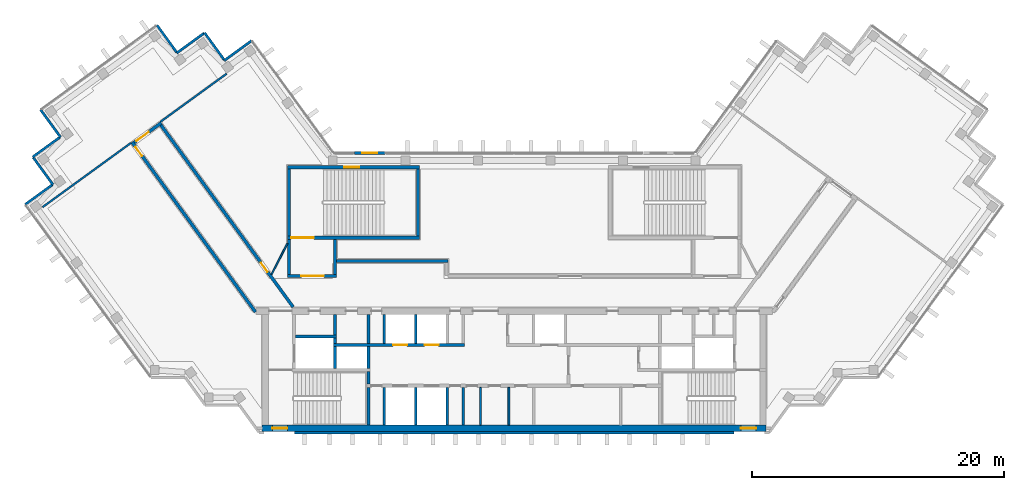
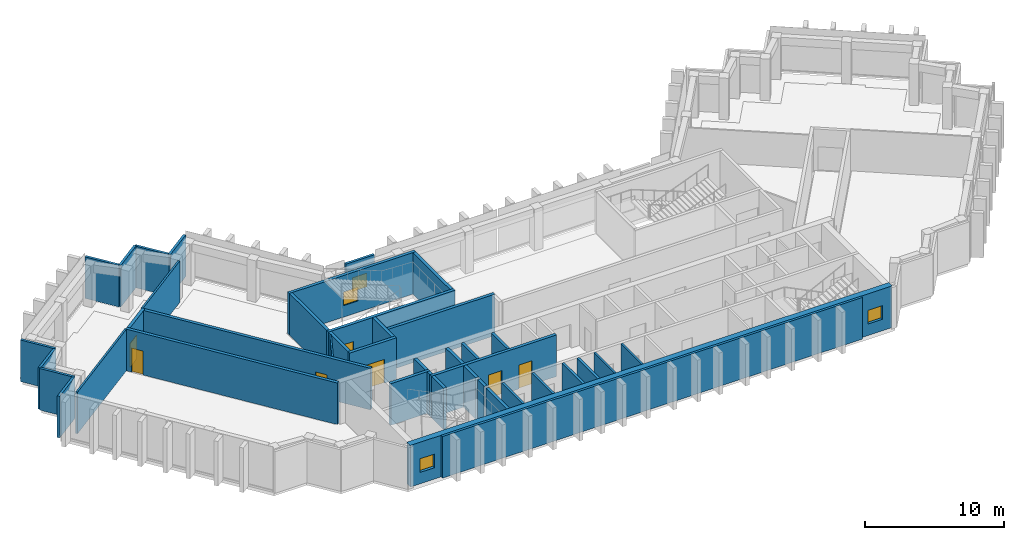
# One storey, part 4 of 9: 42 walls, 7 doors, 4 windows, 11 openings.
"""IFC4 building model written with IfcOpenShell, lengths in metres."""

from ifc_helpers import new_model, si_unit, direction, frame, frame_2d, origin, place, context, subcontext, project, spatial, rectangle, extrude, material, layer, layer_set, type_object, element, fill, save


model = new_model("IFC4")

# Units and contexts
model_context = context("Model", 3, precision=1e-05, world=origin(), true_north=direction((0.0, 1.0)))
body_context = subcontext(model_context, "Body", "Model", "MODEL_VIEW")
ifc_project = project(units=[si_unit("LENGTHUNIT", "METRE"), si_unit("AREAUNIT", "SQUARE_METRE"), si_unit("VOLUMEUNIT", "CUBIC_METRE"), si_unit("PLANEANGLEUNIT", "RADIAN"), si_unit("MASSUNIT", "GRAM", prefix="KILO")], contexts=[model_context])

# Site, building, storey
site_placement = place(None, origin())
site = spatial("IfcSite", under=ifc_project, at=site_placement, CompositionType="ELEMENT")
building_placement = place(site_placement, origin())
building = spatial("IfcBuilding", under=site, at=building_placement, Name="Quipu Civic Tower", CompositionType="ELEMENT")
storey_placement = place(building_placement, frame((0.0, 0.0, 307.0)))
storey = spatial("IfcBuildingStorey", under=building, at=storey_placement, Name="L71", CompositionType="ELEMENT", Elevation=307.0)

# Walls
ifc_material_1 = material(Name="Double gypsum plasterboard with mineral wool")
ifc_layer_1 = layer(ifc_material_1, 0.14990234375)
ifc_layer_set_1 = layer_set([ifc_layer_1], Name="Double gypsum plasterboard with mineral wool")
wall_type_1 = type_object("IfcWallType", Name="Acoustic partition 150 plasterboard", PredefinedType="PARTITIONING", material=ifc_layer_set_1)
wall_1_placement = place(storey_placement, frame((-22.818359375, 17.39599609375, 0.0), z_axis=(0.0, 0.0, 1.0), x_axis=(-0.809000932727, -0.587807358619, 0.0)))
element("IfcWall", 1, at=wall_1_placement, inside=storey, type_object=wall_type_1, Name="Partition P02", PredefinedType="PARTITIONING", context=body_context, shape_type="SweptSolid", body=[
    extrude(rectangle(XDim=6.49560546875, YDim=0.14990234375, at=frame_2d((3.247802734375, 0.0))), origin(), (0.0, 0.0, 1.0), 3.64990234375),
])
wall_2_placement = place(storey_placement, frame((-37.42919921875, 6.805419921875, 0.0), z_axis=(0.0, 0.0, 1.0), x_axis=(0.809020922653, 0.587779845444, 0.0)))
element("IfcWall", 2, at=wall_2_placement, inside=storey, type_object=wall_type_1, Name="Partition P03", PredefinedType="PARTITIONING", context=body_context, shape_type="SweptSolid", body=[
    extrude(rectangle(XDim=8.670166015625, YDim=0.14990234375, at=frame_2d((4.3349609375, 0.0))), origin(), (0.0, 0.0, 1.0), 3.64990234375),
])
ifc_material_2 = material(Name="Concrete C70/85", Category="concrete")
ifc_layer_2 = layer(ifc_material_2, 0.25)
ifc_layer_set_2 = layer_set([ifc_layer_2], Name="Concrete C70/85")
wall_type_2 = type_object("IfcWallType", Name="Core wall 250", PredefinedType="SHEAR", material=ifc_layer_set_2)
wall_3_placement = place(storey_placement, frame((-11.574951171875, -10.5, 0.0), z_axis=(0.0, 0.0, 1.0), x_axis=(0.0, 1.0, 0.0)))
element("IfcWall", 3, at=wall_3_placement, inside=storey, type_object=wall_type_2, Name="Core wall", PredefinedType="SHEAR", context=body_context, shape_type="SweptSolid", body=[
    extrude(rectangle(XDim=3.0, YDim=0.25, at=frame_2d((1.5, 0.0))), origin(), (0.0, 0.0, 1.0), 3.64990234375),
])
wall_4_placement = place(storey_placement, frame((-11.574951171875, -7.25, 0.0), z_axis=(0.0, 0.0, 1.0), x_axis=(0.0, 1.0, 0.0)))
element("IfcWall", 4, at=wall_4_placement, inside=storey, type_object=wall_type_2, Name="Core wall", PredefinedType="SHEAR", context=body_context, shape_type="SweptSolid", body=[
    extrude(rectangle(XDim=1.0, YDim=0.25, at=frame_2d((0.5, 0.0))), origin(), (0.0, 0.0, 1.0), 3.64990234375),
])
for number, where, z_axis, x_axis, name in (
    (5, (-14.22509765625, -6.0, 0.0), (0.0, 0.0, 1.0), (0.0, 1.0, 0.0), "Core wall"),
    (6, (-11.574951171875, -6.0, 0.0), (0.0, 0.0, 1.0), (0.0, 1.0, 0.0), "Core wall"),
):
    element("IfcWall", number, at=place(storey_placement, frame(where, z_axis=z_axis, x_axis=x_axis)), inside=storey, type_object=wall_type_2, Name=name, PredefinedType="SHEAR", context=body_context, shape_type="SweptSolid", body=[
        extrude(rectangle(XDim=1.75, YDim=0.25, at=frame_2d((0.875, 0.0))), origin(), (0.0, 0.0, 1.0), 3.64990234375),
    ])

# Wall, openings, doors
wall_5_placement = place(storey_placement, frame((-14.35009765625, -4.125, 0.0), z_axis=(0.0, 0.0, 1.0), x_axis=(1.0, 0.0, 0.0)))
wall_5 = element("IfcWall", 7, at=wall_5_placement, inside=storey, type_object=wall_type_2, Name="Core wall", PredefinedType="SHEAR", context=body_context, shape_type="SweptSolid", body=[
    extrude(rectangle(XDim=10.400146484375, YDim=0.25, at=frame_2d((5.2001953125, 0.0))), origin(), (0.0, 0.0, 1.0), 3.64990234375),
])
opening_1_placement = place(wall_5_placement, frame((4.75, 0.0, 0.0)))
opening_1 = element("IfcOpeningElement", 8, at=opening_1_placement, cuts=wall_5, Name="Opening LD-HL3", PredefinedType="OPENING", context=body_context, shape_type="SweptSolid", body=[
    extrude(rectangle(XDim=1.10009765625, YDim=2.10009765625, at=frame_2d((0.550048828125, 1.050048828125))), frame((0.0, 0.135009765625, 0.0), z_axis=(0.0, -1.0, 0.0), x_axis=(1.0, 0.0, 0.0)), (0.0, 0.0, 1.0), 0.27001953125),
])
opening_2_placement = place(wall_5_placement, frame((7.25, 0.0, 0.0)))
opening_2 = element("IfcOpeningElement", 9, at=opening_2_placement, cuts=wall_5, Name="Opening LD-HL4", PredefinedType="OPENING", context=body_context, shape_type="SweptSolid", body=[
    extrude(rectangle(XDim=1.10009765625, YDim=2.10009765625, at=frame_2d((0.550048828125, 1.050048828125))), frame((0.0, 0.135009765625, 0.0), z_axis=(0.0, -1.0, 0.0), x_axis=(1.0, 0.0, 0.0)), (0.0, 0.0, 1.0), 0.27001953125),
])
ifc_material_3 = material(Name="Stainless steel", Category="steel")
door_type_1 = type_object("IfcDoorType", Name="Lift landing door 1100 x 2100", OperationType="DOUBLE_DOOR_SLIDING", PredefinedType="DOOR", material=ifc_material_3)
door_1_placement = place(opening_1_placement, origin())
door_1 = element("IfcDoor", 10, at=door_1_placement, inside=storey, type_object=door_type_1, Name="Landing door HL3", OperationType="DOUBLE_DOOR_SLIDING", OverallHeight=2.10009765625, OverallWidth=1.10009765625, PredefinedType="DOOR", context=body_context, shape_type="SweptSolid", body=[
    extrude(rectangle(XDim=1.10009765625, YDim=2.10009765625, at=frame_2d((0.550048828125, 1.050048828125))), frame((0.0, 0.02490234375, 0.0), z_axis=(0.0, -1.0, 0.0), x_axis=(1.0, 0.0, 0.0)), (0.0, 0.0, 1.0), 0.050048828125),
])
fill(opening_1, door_1)
door_2_placement = place(opening_2_placement, origin())
door_2 = element("IfcDoor", 11, at=door_2_placement, inside=storey, type_object=door_type_1, Name="Landing door HL4", OperationType="DOUBLE_DOOR_SLIDING", OverallHeight=2.10009765625, OverallWidth=1.10009765625, PredefinedType="DOOR", context=body_context, shape_type="SweptSolid", body=[
    extrude(rectangle(XDim=1.10009765625, YDim=2.10009765625, at=frame_2d((0.550048828125, 1.050048828125))), frame((0.0, 0.02490234375, 0.0), z_axis=(0.0, -1.0, 0.0), x_axis=(1.0, 0.0, 0.0)), (0.0, 0.0, 1.0), 0.050048828125),
])
fill(opening_2, door_2)

# Walls
wall_6_placement = place(storey_placement, frame((-14.22509765625, -4.0, 0.0), z_axis=(0.0, 0.0, 1.0), x_axis=(0.0, 1.0, 0.0)))
element("IfcWall", 12, at=wall_6_placement, inside=storey, type_object=wall_type_2, Name="Core wall", PredefinedType="SHEAR", context=body_context, shape_type="SweptSolid", body=[
    extrude(rectangle(XDim=0.39990234375, YDim=0.25, at=frame_2d((0.199951171875, 0.0))), origin(), (0.0, 0.0, 1.0), 3.64990234375),
])
wall_7_placement = place(storey_placement, frame((-11.574951171875, -4.0, 0.0), z_axis=(0.0, 0.0, 1.0), x_axis=(0.0, 1.0, 0.0)))
element("IfcWall", 13, at=wall_7_placement, inside=storey, type_object=wall_type_2, Name="Core wall", PredefinedType="SHEAR", context=body_context, shape_type="SweptSolid", body=[
    extrude(rectangle(XDim=2.300048828125, YDim=0.25, at=frame_2d((1.14990234375, 0.0))), origin(), (0.0, 0.0, 1.0), 3.64990234375),
])
wall_8_placement = place(storey_placement, frame((-17.35009765625, -3.47509765625, 0.0), z_axis=(0.0, 0.0, 1.0), x_axis=(1.0, 0.0, 0.0)))
element("IfcWall", 14, at=wall_8_placement, inside=storey, type_object=wall_type_2, Name="Core wall", PredefinedType="SHEAR", context=body_context, shape_type="SweptSolid", body=[
    extrude(rectangle(XDim=3.25, YDim=0.25, at=frame_2d((1.625, 0.0))), origin(), (0.0, 0.0, 1.0), 3.64990234375),
])
wall_9_placement = place(storey_placement, frame((-14.22509765625, -3.35009765625, 0.0), z_axis=(0.0, 0.0, 1.0), x_axis=(0.0, 1.0, 0.0)))
element("IfcWall", 15, at=wall_9_placement, inside=storey, type_object=wall_type_2, Name="Core wall", PredefinedType="SHEAR", context=body_context, shape_type="SweptSolid", body=[
    extrude(rectangle(XDim=1.650146484375, YDim=0.25, at=frame_2d((0.8251953125, 0.0))), origin(), (0.0, 0.0, 1.0), 3.64990234375),
])

# Wall, opening, door
wall_10_placement = place(storey_placement, frame((-18.0, 1.324951171875, 0.0), z_axis=(0.0, 0.0, 1.0), x_axis=(1.0, 0.0, 0.0)))
wall_10 = element("IfcWall", 16, at=wall_10_placement, inside=storey, type_object=wall_type_2, Name="Core wall", PredefinedType="SHEAR", context=body_context, shape_type="SweptSolid", body=[
    extrude(rectangle(XDim=3.89990234375, YDim=0.25, at=frame_2d((1.949951171875, 0.0))), origin(), (0.0, 0.0, 1.0), 3.64990234375),
])
opening_3_placement = place(wall_10_placement, frame((1.10009765625, 0.0, 0.0)))
opening_3 = element("IfcOpeningElement", 17, at=opening_3_placement, cuts=wall_10, Name="Opening CD-24", PredefinedType="OPENING", context=body_context, shape_type="SweptSolid", body=[
    extrude(rectangle(XDim=1.800048828125, YDim=2.10009765625, at=frame_2d((0.89990234375, 1.050048828125))), frame((0.0, 0.135009765625, 0.0), z_axis=(0.0, -1.0, 0.0), x_axis=(1.0, 0.0, 0.0)), (0.0, 0.0, 1.0), 0.27001953125),
])
ifc_material_4 = material(Name="Fire rated steel door", Category="steel")
door_type_2 = type_object("IfcDoorType", Name="Fire door FD90 double 1800 x 2100", OperationType="NOTDEFINED", PredefinedType="DOOR", material=ifc_material_4)
door_3_placement = place(opening_3_placement, origin())
door_3 = element("IfcDoor", 18, at=door_3_placement, inside=storey, type_object=door_type_2, Name="Lobby door", OperationType="DOUBLE_DOOR_SINGLE_SWING", OverallHeight=2.10009765625, OverallWidth=1.800048828125, PredefinedType="DOOR", context=body_context, shape_type="SweptSolid", body=[
    extrude(rectangle(XDim=1.800048828125, YDim=2.10009765625, at=frame_2d((0.89990234375, 1.050048828125))), frame((0.0, 0.02490234375, 0.0), z_axis=(0.0, -1.0, 0.0), x_axis=(1.0, 0.0, 0.0)), (0.0, 0.0, 1.0), 0.050048828125),
])
fill(opening_3, door_3)

# Walls
for number, where, z_axis, x_axis, name in (
    (19, (-17.875, 1.449951171875, 0.0), (0.0, 0.0, 1.0), (0.0, 1.0, 0.0), "Core wall"),
    (20, (-14.22509765625, 1.449951171875, 0.0), (0.0, 0.0, 1.0), (0.0, 1.0, 0.0), "Core wall"),
):
    element("IfcWall", number, at=place(storey_placement, frame(where, z_axis=z_axis, x_axis=x_axis)), inside=storey, type_object=wall_type_2, Name=name, PredefinedType="SHEAR", context=body_context, shape_type="SweptSolid", body=[
        extrude(rectangle(XDim=2.800048828125, YDim=0.25, at=frame_2d((1.39990234375, 0.0))), origin(), (0.0, 0.0, 1.0), 3.64990234375),
    ])

# Wall, opening, door
wall_11_placement = place(storey_placement, frame((-18.0, 4.375, 0.0), z_axis=(0.0, 0.0, 1.0), x_axis=(1.0, 0.0, 0.0)))
wall_11 = element("IfcWall", 21, at=wall_11_placement, inside=storey, type_object=wall_type_2, Name="Core wall", PredefinedType="SHEAR", context=body_context, shape_type="SweptSolid", body=[
    extrude(rectangle(XDim=10.5, YDim=0.25, at=frame_2d((5.25, 0.0))), origin(), (0.0, 0.0, 1.0), 3.64990234375),
])
opening_4_placement = place(wall_11_placement, frame((0.300048828125, 0.0, 0.0)))
opening_4 = element("IfcOpeningElement", 22, at=opening_4_placement, cuts=wall_11, Name="Opening CD-25", PredefinedType="OPENING", context=body_context, shape_type="SweptSolid", body=[
    extrude(rectangle(XDim=1.800048828125, YDim=2.10009765625, at=frame_2d((0.89990234375, 1.050048828125))), frame((0.0, 0.135009765625, 0.0), z_axis=(0.0, -1.0, 0.0), x_axis=(1.0, 0.0, 0.0)), (0.0, 0.0, 1.0), 0.27001953125),
])
door_4_placement = place(opening_4_placement, origin())
door_4 = element("IfcDoor", 23, at=door_4_placement, inside=storey, type_object=door_type_2, Name="Door", OperationType="DOUBLE_DOOR_SINGLE_SWING", OverallHeight=2.10009765625, OverallWidth=1.800048828125, PredefinedType="DOOR", context=body_context, shape_type="SweptSolid", body=[
    extrude(rectangle(XDim=1.800048828125, YDim=2.10009765625, at=frame_2d((0.89990234375, 1.050048828125))), frame((0.0, 0.02490234375, 0.0), z_axis=(0.0, -1.0, 0.0), x_axis=(1.0, 0.0, 0.0)), (0.0, 0.0, 1.0), 0.050048828125),
])
fill(opening_4, door_4)

# Walls
for number, where, z_axis, x_axis, name in (
    (24, (-17.875, 4.5, 0.0), (0.0, 0.0, 1.0), (0.0, 1.0, 0.0), "Core wall"),
    (25, (-7.625, 4.5, 0.0), (0.0, 0.0, 1.0), (0.0, 1.0, 0.0), "Core wall"),
):
    element("IfcWall", number, at=place(storey_placement, frame(where, z_axis=z_axis, x_axis=x_axis)), inside=storey, type_object=wall_type_2, Name=name, PredefinedType="SHEAR", context=body_context, shape_type="SweptSolid", body=[
        extrude(rectangle(XDim=5.35009765625, YDim=0.25, at=frame_2d((2.675048828125, 0.0))), origin(), (0.0, 0.0, 1.0), 3.64990234375),
    ])

# Wall, opening, window
wall_12_placement = place(storey_placement, frame((-18.0, 9.97509765625, 0.0), z_axis=(0.0, 0.0, 1.0), x_axis=(1.0, 0.0, 0.0)))
wall_12 = element("IfcWall", 26, at=wall_12_placement, inside=storey, type_object=wall_type_2, Name="Core wall", PredefinedType="SHEAR", context=body_context, shape_type="SweptSolid", body=[
    extrude(rectangle(XDim=10.5, YDim=0.25, at=frame_2d((5.25, 0.0))), origin(), (0.0, 0.0, 1.0), 3.64990234375),
])
opening_5_placement = place(wall_12_placement, frame((4.5, 0.0, 1.0)))
opening_5 = element("IfcOpeningElement", 27, at=opening_5_placement, cuts=wall_12, Name="Opening SV-3", PredefinedType="OPENING", context=body_context, shape_type="SweptSolid", body=[
    extrude(rectangle(XDim=1.199951171875, YDim=1.199951171875, at=frame_2d((0.60009765625, 0.60009765625))), frame((0.0, 0.135009765625, 0.0), z_axis=(0.0, -1.0, 0.0), x_axis=(1.0, 0.0, 0.0)), (0.0, 0.0, 1.0), 0.27001953125),
])
ifc_material_5 = material(Name="Aluminium louvre", Category="aluminium")
window_type_1 = type_object("IfcWindowType", Name="Stair ventilation louvre 1200 x 1200", PartitioningType="SINGLE_PANEL", PredefinedType="WINDOW", material=ifc_material_5)
window_1_placement = place(opening_5_placement, origin())
window_1 = element("IfcWindow", 28, at=window_1_placement, inside=storey, type_object=window_type_1, Name="Stair ventilation opening", OverallHeight=1.199951171875, OverallWidth=1.199951171875, PartitioningType="SINGLE_PANEL", PredefinedType="WINDOW", context=body_context, shape_type="SweptSolid", body=[
    extrude(rectangle(XDim=1.199951171875, YDim=1.199951171875, at=frame_2d((0.60009765625, 0.60009765625))), frame((0.0, 0.030029296875, 0.0), z_axis=(0.0, -1.0, 0.0), x_axis=(1.0, 0.0, 0.0)), (0.0, 0.0, 1.0), 0.06005859375),
])
fill(opening_5, window_1)

# Wall, openings, windows
ifc_material_6 = material(Name="Concrete C70/85", Category="concrete")
ifc_layer_3 = layer(ifc_material_6, 0.5)
ifc_layer_set_3 = layer_set([ifc_layer_3], Name="Concrete C70/85")
wall_type_3 = type_object("IfcWallType", Name="Core wall 500", PredefinedType="SHEAR", material=ifc_layer_set_3)
wall_13_placement = place(storey_placement, frame((-20.0, -10.75, 0.0), z_axis=(0.0, 0.0, 1.0), x_axis=(1.0, 0.0, 0.0)))
wall_13 = element("IfcWall", 29, at=wall_13_placement, inside=storey, type_object=wall_type_3, Name="Core wall", PredefinedType="SHEAR", context=body_context, shape_type="SweptSolid", body=[
    extrude(rectangle(XDim=40.0, YDim=0.5, at=frame_2d((20.0, 0.0))), origin(), (0.0, 0.0, 1.0), 3.64990234375),
])
opening_6_placement = place(wall_13_placement, frame((0.800048828125, 0.0, 1.0)))
opening_6 = element("IfcOpeningElement", 30, at=opening_6_placement, cuts=wall_13, Name="Opening SV-1", PredefinedType="OPENING", context=body_context, shape_type="SweptSolid", body=[
    extrude(rectangle(XDim=1.199951171875, YDim=1.199951171875, at=frame_2d((0.60009765625, 0.60009765625))), frame((0.0, 0.260009765625, 0.0), z_axis=(0.0, -1.0, 0.0), x_axis=(1.0, 0.0, 0.0)), (0.0, 0.0, 1.0), 0.52001953125),
])
opening_7_placement = place(wall_13_placement, frame((38.0, 0.0, 1.0)))
opening_7 = element("IfcOpeningElement", 31, at=opening_7_placement, cuts=wall_13, Name="Opening SV-2", PredefinedType="OPENING", context=body_context, shape_type="SweptSolid", body=[
    extrude(rectangle(XDim=1.199951171875, YDim=1.199951171875, at=frame_2d((0.60009765625, 0.60009765625))), frame((0.0, 0.260009765625, 0.0), z_axis=(0.0, -1.0, 0.0), x_axis=(1.0, 0.0, 0.0)), (0.0, 0.0, 1.0), 0.52001953125),
])
window_2_placement = place(opening_6_placement, origin())
window_2 = element("IfcWindow", 32, at=window_2_placement, inside=storey, type_object=window_type_1, Name="Stair ventilation opening", OverallHeight=1.199951171875, OverallWidth=1.199951171875, PartitioningType="SINGLE_PANEL", PredefinedType="WINDOW", context=body_context, shape_type="SweptSolid", body=[
    extrude(rectangle(XDim=1.199951171875, YDim=1.199951171875, at=frame_2d((0.60009765625, 0.60009765625))), frame((0.0, 0.030029296875, 0.0), z_axis=(0.0, -1.0, 0.0), x_axis=(1.0, 0.0, 0.0)), (0.0, 0.0, 1.0), 0.06005859375),
])
fill(opening_6, window_2)
window_3_placement = place(opening_7_placement, origin())
window_3 = element("IfcWindow", 33, at=window_3_placement, inside=storey, type_object=window_type_1, Name="Stair ventilation opening", OverallHeight=1.199951171875, OverallWidth=1.199951171875, PartitioningType="SINGLE_PANEL", PredefinedType="WINDOW", context=body_context, shape_type="SweptSolid", body=[
    extrude(rectangle(XDim=1.199951171875, YDim=1.199951171875, at=frame_2d((0.60009765625, 0.60009765625))), frame((0.0, 0.030029296875, 0.0), z_axis=(0.0, -1.0, 0.0), x_axis=(1.0, 0.0, 0.0)), (0.0, 0.0, 1.0), 0.06005859375),
])
fill(opening_7, window_3)

# Wall, opening, door
ifc_material_7 = material(Name="Concrete C50/60", Category="concrete")
ifc_layer_4 = layer(ifc_material_7, 0.25)
ifc_layer_set_4 = layer_set([ifc_layer_4], Name="Concrete C50/60")
wall_type_4 = type_object("IfcWallType", Name="Corridor wall 250 concrete", PredefinedType="SOLIDWALL", material=ifc_layer_set_4)
wall_14_placement = place(storey_placement, frame((-20.531005859375, -1.5234375, 0.0), z_axis=(0.0, 0.0, 1.0), x_axis=(-0.587785867777, 0.809016547199, 0.0)))
wall_14 = element("IfcWall", 34, at=wall_14_placement, inside=storey, type_object=wall_type_4, Name="Corridor wall C04", PredefinedType="SOLIDWALL", context=body_context, shape_type="SweptSolid", body=[
    extrude(rectangle(XDim=16.67041015625, YDim=0.25, at=frame_2d((8.335205078125, 0.0))), origin(), (0.0, 0.0, 1.0), 3.64990234375),
])
opening_8_placement = place(wall_14_placement, frame((15.2958984375, 0.0, 0.0)))
opening_8 = element("IfcOpeningElement", 35, at=opening_8_placement, cuts=wall_14, Name="Opening D006", PredefinedType="OPENING", context=body_context, shape_type="SweptSolid", body=[
    extrude(rectangle(XDim=0.89990234375, YDim=2.10009765625, at=frame_2d((0.449951171875, 1.050048828125))), frame((0.0, 0.135009765625, 0.0), z_axis=(0.0, -1.0, 0.0), x_axis=(1.0, 0.0, 0.0)), (0.0, 0.0, 1.0), 0.27001953125),
])
ifc_material_8 = material(Name="Fire rated timber door set with metal frame", Category="wood")
door_type_3 = type_object("IfcDoorType", Name="Single door 900 x 2100 FD60", OperationType="NOTDEFINED", PredefinedType="DOOR", material=ifc_material_8)
door_5_placement = place(opening_8_placement, origin())
door_5 = element("IfcDoor", 36, at=door_5_placement, inside=storey, type_object=door_type_3, Name="Door D006", OperationType="SINGLE_SWING_RIGHT", OverallHeight=2.10009765625, OverallWidth=0.89990234375, PredefinedType="DOOR", context=body_context, shape_type="SweptSolid", body=[
    extrude(rectangle(XDim=0.89990234375, YDim=2.10009765625, at=frame_2d((0.449951171875, 1.050048828125))), frame((0.0, 0.02490234375, 0.0), z_axis=(0.0, -1.0, 0.0), x_axis=(1.0, 0.0, 0.0)), (0.0, 0.0, 1.0), 0.050048828125),
])
fill(opening_8, door_5)

wall_15_placement = place(storey_placement, frame((-30.155029296875, 11.935546875, 0.0), z_axis=(0.0, 0.0, 1.0), x_axis=(0.809038743598, 0.587755315891, 0.0)))
wall_15 = element("IfcWall", 37, at=wall_15_placement, inside=storey, type_object=wall_type_4, Name="Corridor wall C05", PredefinedType="SOLIDWALL", context=body_context, shape_type="SweptSolid", body=[
    extrude(rectangle(XDim=2.650146484375, YDim=0.25, at=frame_2d((1.3251953125, 0.0))), origin(), (0.0, 0.0, 1.0), 3.64990234375),
])
opening_9_placement = place(wall_15_placement, frame((0.224609375, 0.0, 0.0)))
opening_9 = element("IfcOpeningElement", 38, at=opening_9_placement, cuts=wall_15, Name="Opening D007", PredefinedType="OPENING", context=body_context, shape_type="SweptSolid", body=[
    extrude(rectangle(XDim=1.199951171875, YDim=2.10009765625, at=frame_2d((0.60009765625, 1.050048828125))), frame((0.0, 0.135009765625, 0.0), z_axis=(0.0, -1.0, 0.0), x_axis=(1.0, 0.0, 0.0)), (0.0, 0.0, 1.0), 0.27001953125),
])
ifc_material_9 = material(Name="Fire rated timber door set with metal frame", Category="wood")
door_type_4 = type_object("IfcDoorType", Name="Single door 1200 x 2100 FD60", OperationType="NOTDEFINED", PredefinedType="DOOR", material=ifc_material_9)
door_6_placement = place(opening_9_placement, origin())
door_6 = element("IfcDoor", 39, at=door_6_placement, inside=storey, type_object=door_type_4, Name="Door D007", OperationType="SINGLE_SWING_LEFT", OverallHeight=2.10009765625, OverallWidth=1.199951171875, PredefinedType="DOOR", context=body_context, shape_type="SweptSolid", body=[
    extrude(rectangle(XDim=1.199951171875, YDim=2.10009765625, at=frame_2d((0.60009765625, 1.050048828125))), frame((0.0, 0.02490234375, 0.0), z_axis=(0.0, -1.0, 0.0), x_axis=(1.0, 0.0, 0.0)), (0.0, 0.0, 1.0), 0.050048828125),
])
fill(opening_9, door_6)

wall_16_placement = place(storey_placement, frame((-28.038818359375, 13.318603515625, 0.0), z_axis=(0.0, 0.0, 1.0), x_axis=(0.587791911753, -0.809012155952, 0.0)))
wall_16 = element("IfcWall", 40, at=wall_16_placement, inside=storey, type_object=wall_type_4, Name="Corridor wall C06", PredefinedType="SOLIDWALL", context=body_context, shape_type="SweptSolid", body=[
    extrude(rectangle(XDim=17.85302734375, YDim=0.25, at=frame_2d((8.926513671875, 0.0))), origin(), (0.0, 0.0, 1.0), 3.64990234375),
])
opening_10_placement = place(wall_16_placement, frame((13.51171875, 0.0, 0.0)))
opening_10 = element("IfcOpeningElement", 41, at=opening_10_placement, cuts=wall_16, Name="Opening D005", PredefinedType="OPENING", context=body_context, shape_type="SweptSolid", body=[
    extrude(rectangle(XDim=0.89990234375, YDim=2.10009765625, at=frame_2d((0.449951171875, 1.050048828125))), frame((0.0, 0.135009765625, 0.0), z_axis=(0.0, -1.0, 0.0), x_axis=(1.0, 0.0, 0.0)), (0.0, 0.0, 1.0), 0.27001953125),
])
door_7_placement = place(opening_10_placement, origin())
door_7 = element("IfcDoor", 42, at=door_7_placement, inside=storey, type_object=door_type_3, Name="Door D005", OperationType="SINGLE_SWING_RIGHT", OverallHeight=2.10009765625, OverallWidth=0.89990234375, PredefinedType="DOOR", context=body_context, shape_type="SweptSolid", body=[
    extrude(rectangle(XDim=0.89990234375, YDim=2.10009765625, at=frame_2d((0.449951171875, 1.050048828125))), frame((0.0, 0.02490234375, 0.0), z_axis=(0.0, -1.0, 0.0), x_axis=(1.0, 0.0, 0.0)), (0.0, 0.0, 1.0), 0.050048828125),
])
fill(opening_10, door_7)

# Walls
wall_17_placement = place(storey_placement, frame((-14.090087890625, 2.52490234375, 0.0), z_axis=(0.0, 0.0, 1.0), x_axis=(1.0, 0.0, 0.0)))
element("IfcWall", 43, at=wall_17_placement, inside=storey, type_object=wall_type_4, Name="Corridor wall C07", PredefinedType="SOLIDWALL", context=body_context, shape_type="SweptSolid", body=[
    extrude(rectangle(XDim=8.840087890625, YDim=0.25, at=frame_2d((4.419921875, 0.0))), origin(), (0.0, 0.0, 1.0), 3.64990234375),
])
ifc_material_10 = material(Name="Gypsum plasterboard on light gauge framing")
ifc_layer_5 = layer(ifc_material_10, 0.1201171875)
ifc_layer_set_5 = layer_set([ifc_layer_5], Name="Gypsum plasterboard on light gauge framing")
wall_type_5 = type_object("IfcWallType", Name="Partition 120 plasterboard", PredefinedType="PARTITIONING", material=ifc_layer_set_5)
wall_18_placement = place(storey_placement, frame((-19.260986328125, 1.449951171875, 0.0), z_axis=(0.0, 0.0, 1.0), x_axis=(0.453950796792, 0.891026752736, 0.0)))
element("IfcWall", 44, at=wall_18_placement, inside=storey, type_object=wall_type_5, Name="Partition P06", PredefinedType="PARTITIONING", context=body_context, shape_type="SweptSolid", body=[
    extrude(rectangle(XDim=2.77783203125, YDim=0.1201171875, at=frame_2d((1.388916015625, 0.0))), origin(), (0.0, 0.0, 1.0), 3.64990234375),
])
ifc_material_11 = material(Name="Gypsum board partition")
ifc_layer_6 = layer(ifc_material_11, 0.14990234375)
ifc_layer_set_6 = layer_set([ifc_layer_6], Name="Gypsum board partition")
wall_type_6 = type_object("IfcWallType", Name="Partition 150", PredefinedType="PARTITIONING", material=ifc_layer_set_6)
for number, where, z_axis, x_axis, name in (
    (45, (-2.675048828125, -10.5, 0.0), (0.0, 0.0, 1.0), (0.0, 1.0, 0.0), "Partition"),
    (46, (-0.425048828125, -10.5, 0.0), (0.0, 0.0, 1.0), (0.0, 1.0, 0.0), "Partition"),
):
    element("IfcWall", number, at=place(storey_placement, frame(where, z_axis=z_axis, x_axis=x_axis)), inside=storey, type_object=wall_type_6, Name=name, PredefinedType="PARTITIONING", context=body_context, shape_type="SweptSolid", body=[
        extrude(rectangle(XDim=3.0, YDim=0.14990234375, at=frame_2d((1.5, 0.0))), origin(), (0.0, 0.0, 1.0), 3.64990234375),
    ])

# Wall, opening, window
ifc_material_12 = material(Name="Precast concrete C40/50", Category="concrete")
wall_type_7 = type_object("IfcWallType", Name="Precast cladding wall", PredefinedType="SOLIDWALL", material=ifc_material_12)
wall_19_placement = place(storey_placement, frame((-10.263427734375, 11.10009765625, 0.0), z_axis=(0.0, 0.0, 1.0), x_axis=(-1.0, 0.0, 0.0)))
wall_19 = element("IfcWall", 47, at=wall_19_placement, inside=storey, type_object=wall_type_7, Name="Vent surround SF-L71-1", PredefinedType="SOLIDWALL", context=body_context, shape_type="SweptSolid", body=[
    extrude(rectangle(XDim=2.3916015625, YDim=0.199951171875, at=frame_2d((1.19580078125, 0.0))), origin(), (0.0, 0.0, 1.0), 3.64990234375),
])
opening_11_placement = place(wall_19_placement, frame((0.595703125, 0.0, 1.0)))
opening_11 = element("IfcOpeningElement", 48, at=opening_11_placement, cuts=wall_19, Name="Opening SF-L71-1", PredefinedType="OPENING", context=body_context, shape_type="SweptSolid", body=[
    extrude(rectangle(XDim=1.199951171875, YDim=1.199951171875, at=frame_2d((0.60009765625, 0.60009765625))), frame((0.0, 0.10986328125, 0.0), z_axis=(0.0, -1.0, 0.0), x_axis=(1.0, 0.0, 0.0)), (0.0, 0.0, 1.0), 0.219970703125),
])
ifc_material_13 = material(Name="Anodised aluminium louvre", Category="aluminium")
window_type_2 = type_object("IfcWindowType", Name="Stair vent louvre window P3", PartitioningType="SINGLE_PANEL", PredefinedType="WINDOW", material=ifc_material_13)
window_4_placement = place(opening_11_placement, origin())
window_4 = element("IfcWindow", 49, at=window_4_placement, inside=storey, type_object=window_type_2, Name="Stair vent louvre SF-L71-1", OverallHeight=1.199951171875, OverallWidth=1.199951171875, PartitioningType="SINGLE_PANEL", PredefinedType="WINDOW", context=body_context, shape_type="SweptSolid", body=[
    extrude(rectangle(XDim=1.199951171875, YDim=1.199951171875, at=frame_2d((0.60009765625, 0.60009765625))), frame((0.0, 0.030029296875, 0.0), z_axis=(0.0, -1.0, 0.0), x_axis=(1.0, 0.0, 0.0)), (0.0, 0.0, 1.0), 0.06005859375),
])
fill(opening_11, window_4)

# Walls
for number, where, z_axis, x_axis, name in (
    (50, (-20.828857421875, 20.025390625, 0.0), (0.0, 0.0, 1.0), (-0.808990163075, -0.587822180636, 0.0), "Precast cladding wall L71 18"),
    (51, (-22.996337890625, 18.465576171875, 0.0), (0.0, 0.0, 1.0), (-0.587762999008, 0.809033161865, 0.0), "Precast cladding wall L71 19"),
):
    element("IfcWall", number, at=place(storey_placement, frame(where, z_axis=z_axis, x_axis=x_axis)), inside=storey, type_object=wall_type_7, Name=name, PredefinedType="SOLIDWALL", context=body_context, shape_type="SweptSolid", body=[
        extrude(rectangle(XDim=2.699951171875, YDim=0.199951171875, at=frame_2d((1.35009765625, 0.0))), origin(), (0.0, 0.0, 1.0), 3.64990234375),
    ])
for number, where, z_axis, x_axis, name in (
    (52, (-24.60009765625, 20.62255859375, 0.0), (0.0, 0.0, 1.0), (-0.809064397168, -0.587720002413, 0.0), "Precast cladding wall L71 20"),
    (53, (-26.767578125, 19.062744140625, 0.0), (0.0, 0.0, 1.0), (-0.587720002413, 0.809064397168, 0.0), "Precast cladding wall L71 21"),
):
    element("IfcWall", number, at=place(storey_placement, frame(where, z_axis=z_axis, x_axis=x_axis)), inside=storey, type_object=wall_type_7, Name=name, PredefinedType="SOLIDWALL", context=body_context, shape_type="SweptSolid", body=[
        extrude(rectangle(XDim=2.7001953125, YDim=0.199951171875, at=frame_2d((1.35009765625, 0.0))), origin(), (0.0, 0.0, 1.0), 3.64990234375),
    ])
for number, where, z_axis, x_axis, name in (
    (54, (-37.591796875, 14.535888671875, 0.0), (0.0, 0.0, 1.0), (0.587762999008, -0.809033161865, 0.0), "Precast cladding wall L71 23"),
    (55, (-36.031982421875, 12.36865234375, 0.0), (0.0, 0.0, 1.0), (-0.809033161865, -0.587762999008, 0.0), "Precast cladding wall L71 24"),
    (56, (-38.189208984375, 10.7646484375, 0.0), (0.0, 0.0, 1.0), (0.587822180636, -0.808990163075, 0.0), "Precast cladding wall L71 25"),
    (57, (-36.62939453125, 8.597412109375, 0.0), (0.0, 0.0, 1.0), (-0.809033161865, -0.587762999008, 0.0), "Precast cladding wall L71 26"),
):
    element("IfcWall", number, at=place(storey_placement, frame(where, z_axis=z_axis, x_axis=x_axis)), inside=storey, type_object=wall_type_7, Name=name, PredefinedType="SOLIDWALL", context=body_context, shape_type="SweptSolid", body=[
        extrude(rectangle(XDim=2.699951171875, YDim=0.199951171875, at=frame_2d((1.35009765625, 0.0))), origin(), (0.0, 0.0, 1.0), 3.64990234375),
    ])
wall_20_placement = place(storey_placement, frame((-17.44384765625, -11.087890625, 0.0), z_axis=(0.0, 0.0, 1.0), x_axis=(1.0, 0.0, 0.0)))
element("IfcWall", 58, at=wall_20_placement, inside=storey, type_object=wall_type_7, Name="Precast cladding wall L71 33", PredefinedType="SOLIDWALL", context=body_context, shape_type="SweptSolid", body=[
    extrude(rectangle(XDim=34.8876953125, YDim=0.199951171875, at=frame_2d((17.44384765625, 0.0))), origin(), (0.0, 0.0, 1.0), 3.64990234375),
])
ifc_material_14 = material(Name="Concrete C40/50", Category="concrete")
ifc_layer_7 = layer(ifc_material_14, 0.199951171875)
ifc_layer_set_7 = layer_set([ifc_layer_7], Name="Concrete C40/50")
wall_type_8 = type_object("IfcWallType", Name="Shaft wall 200", PredefinedType="SOLIDWALL", material=ifc_layer_set_7)
for number, where, z_axis, x_axis, name in (
    (59, (-10.300048828125, -10.5, 0.0), (0.0, 0.0, 1.0), (0.0, 1.0, 0.0), "Shaft wall"),
    (60, (-7.800048828125, -10.5, 0.0), (0.0, 0.0, 1.0), (0.0, 1.0, 0.0), "Shaft wall"),
    (61, (-5.300048828125, -10.5, 0.0), (0.0, 0.0, 1.0), (0.0, 1.0, 0.0), "Shaft wall"),
    (62, (-4.050048828125, -10.5, 0.0), (0.0, 0.0, 1.0), (0.0, 1.0, 0.0), "Shaft wall"),
):
    element("IfcWall", number, at=place(storey_placement, frame(where, z_axis=z_axis, x_axis=x_axis)), inside=storey, type_object=wall_type_8, Name=name, PredefinedType="SOLIDWALL", context=body_context, shape_type="SweptSolid", body=[
        extrude(rectangle(XDim=3.0, YDim=0.199951171875, at=frame_2d((1.5, 0.0))), origin(), (0.0, 0.0, 1.0), 3.64990234375),
    ])
for number, where, z_axis, x_axis, name in (
    (63, (-10.300048828125, -4.0, 0.0), (0.0, 0.0, 1.0), (0.0, 1.0, 0.0), "Shaft wall"),
    (64, (-7.800048828125, -4.0, 0.0), (0.0, 0.0, 1.0), (0.0, 1.0, 0.0), "Shaft wall"),
):
    element("IfcWall", number, at=place(storey_placement, frame(where, z_axis=z_axis, x_axis=x_axis)), inside=storey, type_object=wall_type_8, Name=name, PredefinedType="SOLIDWALL", context=body_context, shape_type="SweptSolid", body=[
        extrude(rectangle(XDim=2.300048828125, YDim=0.199951171875, at=frame_2d((1.14990234375, 0.0))), origin(), (0.0, 0.0, 1.0), 3.64990234375),
    ])

save(model, "model.ifc")
